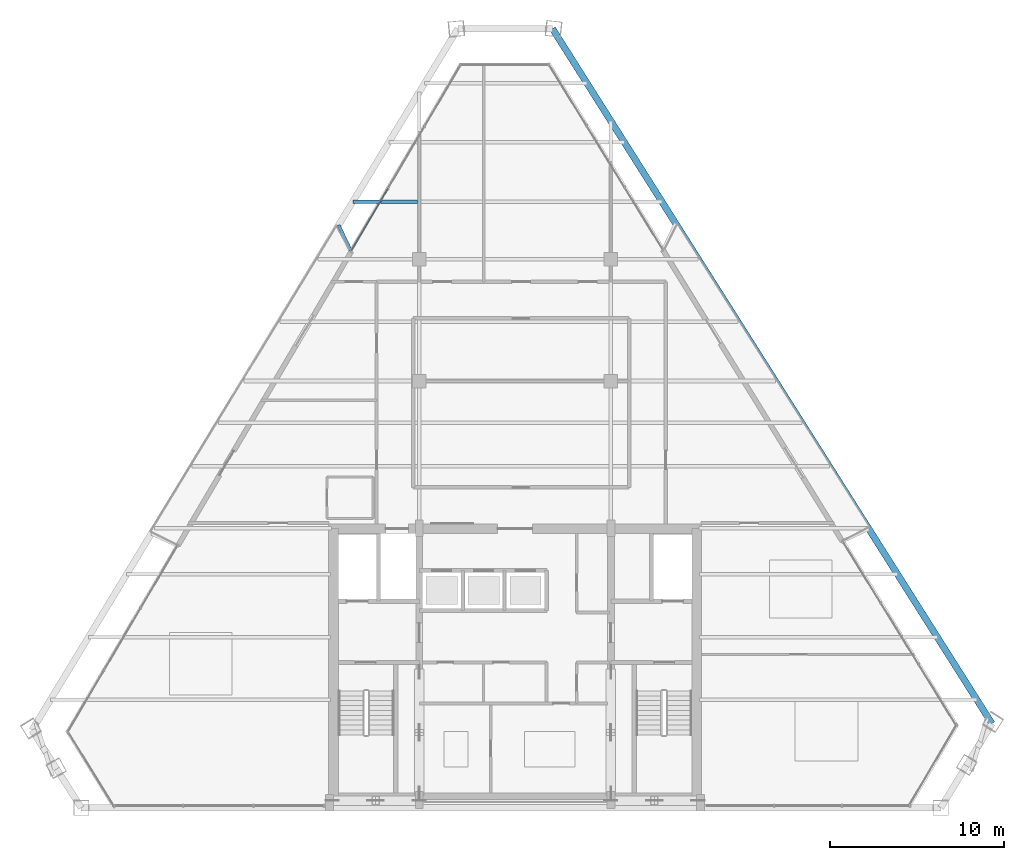
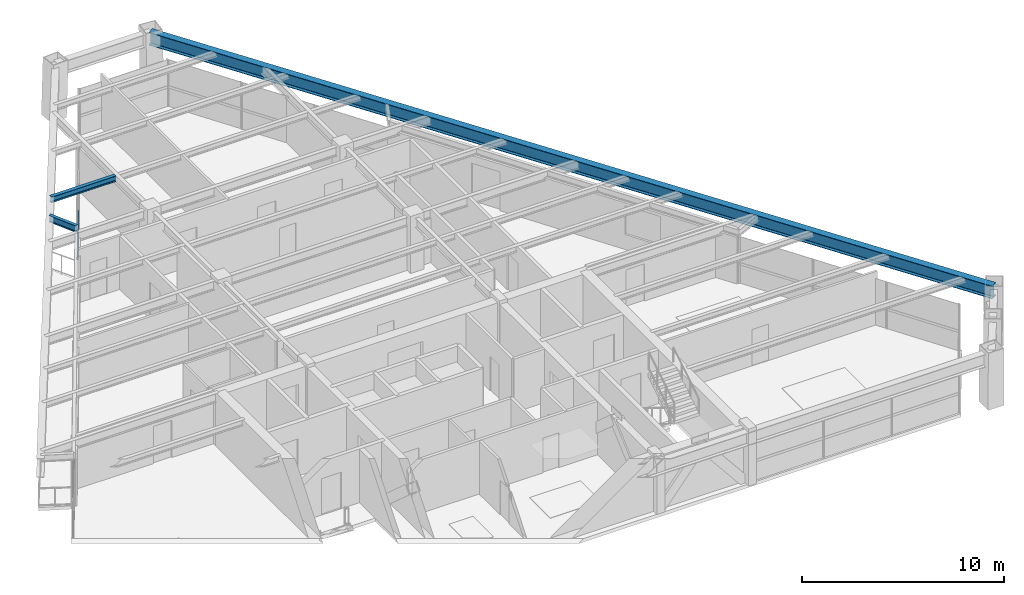
# One storey, part 6 of 14: 3 beams, 1 member, 1 element without a shape of its own.
"""IFC4 building model written with IfcOpenShell, lengths in metres."""

from ifc_helpers import new_model, si_unit, direction, frame, origin, origin_2d, place, context, subcontext, project, spatial, rectangle, i_section, extrude, source, transform, mapped, material, material_profile, profile_set, type_object, element, aggregate, save


model = new_model("IFC4")

# Units and contexts
model_context = context("Model", 3, precision=1e-05, world=origin(), true_north=direction((0.0, 1.0)))
body_context = subcontext(model_context, "Body", "Model", "MODEL_VIEW")
ifc_project = project(units=[si_unit("LENGTHUNIT", "METRE"), si_unit("AREAUNIT", "SQUARE_METRE"), si_unit("VOLUMEUNIT", "CUBIC_METRE"), si_unit("PLANEANGLEUNIT", "RADIAN"), si_unit("MASSUNIT", "GRAM", prefix="KILO")], contexts=[model_context])

# Site, building, storey
site_placement = place(None, origin())
site = spatial("IfcSite", under=ifc_project, at=site_placement, CompositionType="ELEMENT")
building_placement = place(site_placement, origin())
building = spatial("IfcBuilding", under=site, at=building_placement, Name="Varnakhor Terracotta Tower", CompositionType="ELEMENT")
storey_placement = place(building_placement, frame((0.0, 0.0, 240.699951171875)))
storey = spatial("IfcBuildingStorey", under=building, at=storey_placement, Name="L62", CompositionType="ELEMENT", Elevation=240.699951171875)

# Beams
ifc_material_1 = material(Name="Steel S355", Category="steel")
ifc_material_profile_1 = material_profile(ifc_material_1, i_section(OverallWidth=0.381103515625, OverallDepth=0.77294921875, WebThickness=0.01708984375, FlangeThickness=0.027099609375, FilletRadius=0.01806640625, at=origin_2d()), Name="W30X173")
ifc_profile_set_1 = profile_set([ifc_material_profile_1], Name="Steel S355")
beam_type_1 = type_object("IfcBeamType", Name="BM-W30X173", PredefinedType="BEAM", material=ifc_profile_set_1)
shared_shape_1 = source(origin(), body_context, "Body", "SweptSolid", [
    extrude(i_section(OverallWidth=0.381103515625, OverallDepth=0.77294921875, WebThickness=0.01708984375, FlangeThickness=0.027099609375, FilletRadius=0.01806640625, at=origin_2d()), origin(), (0.0, 0.0, 1.0), 47.198974609375),
])
beam_1_placement = place(storey_placement, frame((27.374267578125, 4.837646484375, 2.853515625), z_axis=(-0.534492661163, 0.845173115499, 0.0), x_axis=(-0.845173115499, -0.534492661163, 0.0)))
element("IfcBeam", 1, at=beam_1_placement, inside=storey, type_object=beam_type_1, Name="L62 Perimeter Spandrel 4", PredefinedType="BEAM", context=body_context, shape_type="MappedRepresentation", body=[
    mapped(shared_shape_1, transform((0.0, 0.0, 0.0), scale=1.0)),
])
ifc_material_profile_2 = material_profile(ifc_material_1, i_section(OverallWidth=0.202880859375, OverallDepth=0.346923828125, WebThickness=0.0078125, FlangeThickness=0.013427734375, FilletRadius=0.01806640625, at=origin_2d()), Name="W14X43")
ifc_profile_set_2 = profile_set([ifc_material_profile_2], Name="Steel S355")
beam_type_2 = type_object("IfcBeamType", Name="JST-W14X43", PredefinedType="JOIST", material=ifc_profile_set_2)
shared_shape_2 = source(origin(), body_context, "Body", "SweptSolid", [
    extrude(i_section(OverallWidth=0.202880859375, OverallDepth=0.346923828125, WebThickness=0.0078125, FlangeThickness=0.013427734375, FilletRadius=0.01806640625, at=origin_2d()), origin(), (0.0, 0.0, 1.0), 3.7099609375),
])
beam_2_placement = place(storey_placement, frame((-9.31298828125, 34.800048828125, 3.066650390625), z_axis=(1.0, 0.0, 0.0), x_axis=(0.0, 1.0, 0.0)))
element("IfcBeam", 2, at=beam_2_placement, inside=storey, type_object=beam_type_2, Name="L62 Composite Floor Joist 7-1", PredefinedType="JOIST", context=body_context, shape_type="MappedRepresentation", body=[
    mapped(shared_shape_2, transform((0.0, 0.0, 0.0), scale=1.0)),
])

# Curtain wall, member
ifc_material_2 = material(Name="Anodised Aluminium Curtain Wall System", Category="aluminium")
curtain_wall_type = type_object("IfcCurtainWallType", Name="CW-SYS-HOTEL-LOGGIA", PredefinedType="NOTDEFINED", material=ifc_material_2)
curtain_wall_placement = place(storey_placement, origin())
curtain_wall = element("IfcCurtainWall", 3, at=curtain_wall_placement, inside=storey, type_object=curtain_wall_type, Name="L62 W Facet Curtain Wall 2", PredefinedType="NOTDEFINED")
ifc_material_3 = material(Name="Anodised Aluminium 6063-T6", Category="aluminium")
ifc_material_profile_3 = material_profile(ifc_material_3, rectangle(XDim=0.06494140625, YDim=0.14501953125, at=origin_2d()), Name="ALU TRANSOM 65x145")
ifc_profile_set_3 = profile_set([ifc_material_profile_3], Name="Anodised Aluminium 6063-T6")
member_type = type_object("IfcMemberType", Name="CWT-04", PredefinedType="USERDEFINED", material=ifc_profile_set_3)
shared_shape_3 = source(origin(), body_context, "Body", "SweptSolid", [
    extrude(rectangle(XDim=0.06494140625, YDim=0.14501953125, at=origin_2d()), origin(), (0.0, 0.0, 1.0), 4.138916015625),
])
member_placement = place(storey_placement, frame((-9.397705078125, 31.9833984375, 1.1845703125), z_axis=(0.507757198563, 0.861500218983, 0.0), x_axis=(-0.861500218983, 0.507757198563, 0.0)))
member = element("IfcMember", 4, at=member_placement, type_object=member_type, Name="L62 W Facet Curtain Wall 2 Transom 1", ObjectType="TRANSOM", PredefinedType="USERDEFINED", context=body_context, shape_type="MappedRepresentation", body=[
    mapped(shared_shape_3, transform((0.0, 0.0, 0.0), scale=1.0)),
])
aggregate(curtain_wall, [member])

# Beam
ifc_material_profile_4 = material_profile(ifc_material_1, i_section(OverallWidth=0.179931640625, OverallDepth=0.39990234375, WebThickness=0.008544921875, FlangeThickness=0.013427734375, FilletRadius=0.01806640625, at=origin_2d()), Name="IPE400")
ifc_profile_set_4 = profile_set([ifc_material_profile_4], Name="Steel S355")
beam_type_3 = type_object("IfcBeamType", Name="JST-IPE400", PredefinedType="JOIST", material=ifc_profile_set_4)
shared_shape_4 = source(origin(), body_context, "Body", "SweptSolid", [
    extrude(i_section(OverallWidth=0.179931640625, OverallDepth=0.39990234375, WebThickness=0.008544921875, FlangeThickness=0.013427734375, FilletRadius=0.01806640625, at=origin_2d()), origin(), (0.0, 0.0, 1.0), 1.623779296875),
])
beam_3_placement = place(storey_placement, frame((-9.4287109375, 31.9892578125, 3.0400390625), z_axis=(-0.431992794859, 0.901877056583, 0.0), x_axis=(-0.901877056583, -0.431992794859, 0.0)))
element("IfcBeam", 5, at=beam_3_placement, inside=storey, type_object=beam_type_3, Name="L63 W Loggia Tie Beam 2", PredefinedType="JOIST", context=body_context, shape_type="MappedRepresentation", body=[
    mapped(shared_shape_4, transform((0.0, 0.0, 0.0), scale=1.0)),
])

save(model, "model.ifc")
